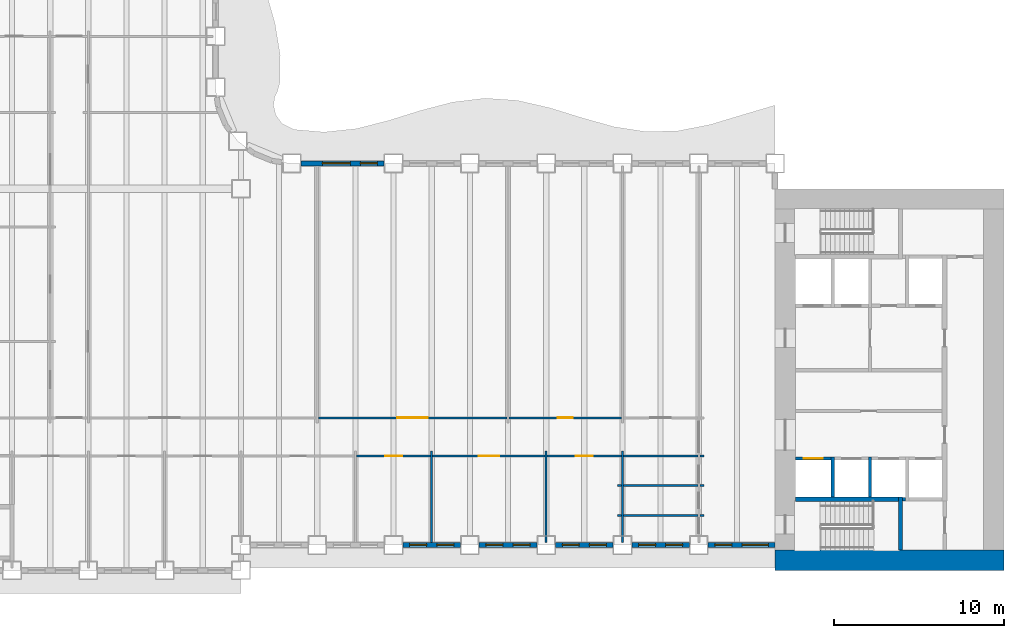
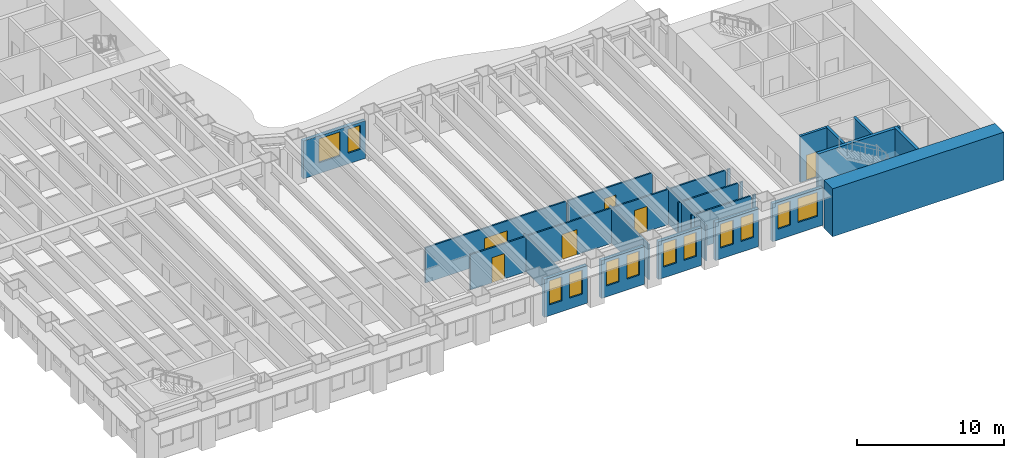
# One storey, part 5 of 16: 29 walls, 12 windows, 6 doors, 18 openings.
"""IFC4 building model written with IfcOpenShell, lengths in metres."""

from ifc_helpers import new_model, si_unit, direction, frame, frame_2d, origin, place, context, subcontext, project, spatial, rectangle, extrude, material, layer, layer_set, type_object, element, fill, save


model = new_model("IFC4")

# Units and contexts
model_context = context("Model", 3, precision=1e-05, world=origin(), true_north=direction((0.0, 1.0)))
body_context = subcontext(model_context, "Body", "Model", "MODEL_VIEW")
ifc_project = project(units=[si_unit("LENGTHUNIT", "METRE"), si_unit("AREAUNIT", "SQUARE_METRE"), si_unit("VOLUMEUNIT", "CUBIC_METRE"), si_unit("PLANEANGLEUNIT", "RADIAN"), si_unit("MASSUNIT", "GRAM", prefix="KILO")], contexts=[model_context])

# Site, building, storey
site_placement = place(None, origin())
site = spatial("IfcSite", under=ifc_project, at=site_placement, CompositionType="ELEMENT")
building_placement = place(site_placement, origin())
building = spatial("IfcBuilding", under=site, at=building_placement, Name="Sennacour Bend Tower", CompositionType="ELEMENT")
storey_placement = place(building_placement, frame((0.0, 0.0, 57.0)))
storey = spatial("IfcBuildingStorey", under=building, at=storey_placement, Name="L12", CompositionType="ELEMENT", Elevation=57.0)

# Walls
ifc_material_1 = material(Name="Concrete C80/95", Category="concrete")
ifc_layer_1 = layer(ifc_material_1, 1.199951171875, Name="Concrete C80/95", Category="concrete")
ifc_layer_set_1 = layer_set([ifc_layer_1], Name="Concrete C80/95")
wall_type_1 = type_object("IfcWallType", Name="Core wall 1200 C80/95", PredefinedType="SHEAR", material=ifc_layer_set_1)
wall_1_placement = place(storey_placement, frame((67.5, 0.60009765625, -0.14990234375), z_axis=(0.0, 0.0, 1.0), x_axis=(-1.0, 0.0, 0.0)))
element("IfcWall", 1, at=wall_1_placement, inside=storey, type_object=wall_type_1, Name="Core A wall L12 S", PredefinedType="SHEAR", context=body_context, shape_type="SweptSolid", body=[
    extrude(rectangle(XDim=13.5, YDim=1.199951171875, at=frame_2d((6.75, 0.0))), origin(), (0.0, 0.0, 1.0), 4.0),
])
ifc_material_2 = material(Name="Plasterboard partition on steel studs", Category="steel")
ifc_layer_2 = layer(ifc_material_2, 0.1201171875, Name="Plasterboard partition on steel studs", Category="steel")
ifc_layer_set_2 = layer_set([ifc_layer_2], Name="Plasterboard partition on steel studs")
wall_type_2 = type_object("IfcWallType", Name="Partition 120", PredefinedType="PARTITIONING", material=ifc_layer_set_2)
for number, where, z_axis, x_axis, name in (
    (2, (33.75, 1.64990234375, 0.0), (0.0, 0.0, 1.0), (0.0, 1.0, 0.0), "P-L12-W029a"),
    (3, (40.5, 1.64990234375, 0.0), (0.0, 0.0, 1.0), (0.0, 1.0, 0.0), "P-L12-W031a"),
    (4, (45.0, 1.64990234375, 0.0), (0.0, 0.0, 1.0), (0.0, 1.0, 0.0), "P-L12-W032a"),
):
    element("IfcWall", number, at=place(storey_placement, frame(where, z_axis=z_axis, x_axis=x_axis)), inside=storey, type_object=wall_type_2, Name=name, PredefinedType="PARTITIONING", context=body_context, shape_type="SweptSolid", body=[
        extrude(rectangle(XDim=5.400146484375, YDim=0.1201171875, at=frame_2d((2.7001953125, 0.0))), origin(), (0.0, 0.0, 1.0), 2.93798828125),
    ])
wall_2_placement = place(storey_placement, frame((44.699951171875, 3.25, 0.0), z_axis=(0.0, 0.0, 1.0), x_axis=(1.0, 0.0, 0.0)))
element("IfcWall", 5, at=wall_2_placement, inside=storey, type_object=wall_type_2, Name="P-L12-W050aa", PredefinedType="PARTITIONING", context=body_context, shape_type="SweptSolid", body=[
    extrude(rectangle(XDim=0.239990234375, YDim=0.1201171875, at=frame_2d((0.1201171875, 0.0))), origin(), (0.0, 0.0, 1.0), 2.93798828125),
])
wall_3_placement = place(storey_placement, frame((45.06005859375, 3.25, 0.0), z_axis=(0.0, 0.0, 1.0), x_axis=(1.0, 0.0, 0.0)))
element("IfcWall", 6, at=wall_3_placement, inside=storey, type_object=wall_type_2, Name="P-L12-W050ab", PredefinedType="PARTITIONING", context=body_context, shape_type="SweptSolid", body=[
    extrude(rectangle(XDim=4.3798828125, YDim=0.1201171875, at=frame_2d((2.18994140625, 0.0))), origin(), (0.0, 0.0, 1.0), 2.93798828125),
])
for number, where, z_axis, x_axis, name in (
    (7, (49.56005859375, 3.25, 0.0), (0.0, 0.0, 1.0), (1.0, 0.0, 0.0), "P-L12-W050ac"),
    (8, (44.699951171875, 5.0, 0.0), (0.0, 0.0, 1.0), (1.0, 0.0, 0.0), "P-L12-W055aa"),
):
    element("IfcWall", number, at=place(storey_placement, frame(where, z_axis=z_axis, x_axis=x_axis)), inside=storey, type_object=wall_type_2, Name=name, PredefinedType="PARTITIONING", context=body_context, shape_type="SweptSolid", body=[
        extrude(rectangle(XDim=0.239990234375, YDim=0.1201171875, at=frame_2d((0.1201171875, 0.0))), origin(), (0.0, 0.0, 1.0), 2.93798828125),
    ])
wall_4_placement = place(storey_placement, frame((45.06005859375, 5.0, 0.0), z_axis=(0.0, 0.0, 1.0), x_axis=(1.0, 0.0, 0.0)))
element("IfcWall", 9, at=wall_4_placement, inside=storey, type_object=wall_type_2, Name="P-L12-W055ab", PredefinedType="PARTITIONING", context=body_context, shape_type="SweptSolid", body=[
    extrude(rectangle(XDim=4.3798828125, YDim=0.1201171875, at=frame_2d((2.18994140625, 0.0))), origin(), (0.0, 0.0, 1.0), 2.93798828125),
])
wall_5_placement = place(storey_placement, frame((49.56005859375, 5.0, 0.0), z_axis=(0.0, 0.0, 1.0), x_axis=(1.0, 0.0, 0.0)))
element("IfcWall", 10, at=wall_5_placement, inside=storey, type_object=wall_type_2, Name="P-L12-W055ac", PredefinedType="PARTITIONING", context=body_context, shape_type="SweptSolid", body=[
    extrude(rectangle(XDim=0.239990234375, YDim=0.1201171875, at=frame_2d((0.1201171875, 0.0))), origin(), (0.0, 0.0, 1.0), 2.93798828125),
])

# Wall, opening, door
wall_6_placement = place(storey_placement, frame((29.31005859375, 6.75, 0.0), z_axis=(0.0, 0.0, 1.0), x_axis=(1.0, 0.0, 0.0)))
wall_6 = element("IfcWall", 11, at=wall_6_placement, inside=storey, type_object=wall_type_2, Name="P-L12-W057af", PredefinedType="PARTITIONING", context=body_context, shape_type="SweptSolid", body=[
    extrude(rectangle(XDim=4.3798828125, YDim=0.1201171875, at=frame_2d((2.18994140625, 0.0))), origin(), (0.0, 0.0, 1.0), 2.93798828125),
])
opening_1_placement = place(wall_6_placement, frame((1.68994140625, 0.0, 0.0)))
opening_1 = element("IfcOpeningElement", 12, at=opening_1_placement, cuts=wall_6, Name="Opening OD2", PredefinedType="OPENING", context=body_context, shape_type="SweptSolid", body=[
    extrude(rectangle(XDim=1.0, YDim=2.10009765625, at=frame_2d((0.5, 1.050048828125))), frame((0.0, 0.070068359375, 0.0), z_axis=(0.0, -1.0, 0.0), x_axis=(1.0, 0.0, 0.0)), (0.0, 0.0, 1.0), 0.14013671875),
])
ifc_material_3 = material(Name="Timber", Category="wood")
door_type_1 = type_object("IfcDoorType", Name="DR-OFFICE-1000", OperationType="NOTDEFINED", PredefinedType="DOOR", material=ifc_material_3)
door_1_placement = place(opening_1_placement, origin())
door_1 = element("IfcDoor", 13, at=door_1_placement, inside=storey, type_object=door_type_1, Name="Door", OperationType="SINGLE_SWING_LEFT", OverallHeight=2.10009765625, OverallWidth=1.0, PredefinedType="DOOR", context=body_context, shape_type="SweptSolid", body=[
    extrude(rectangle(XDim=1.0, YDim=2.10009765625, at=frame_2d((0.5, 1.050048828125))), frame((0.0, 0.02490234375, 0.0), z_axis=(0.0, -1.0, 0.0), x_axis=(1.0, 0.0, 0.0)), (0.0, 0.0, 1.0), 0.050048828125),
])
fill(opening_1, door_1)

wall_7_placement = place(storey_placement, frame((33.81005859375, 6.75, 0.0), z_axis=(0.0, 0.0, 1.0), x_axis=(1.0, 0.0, 0.0)))
wall_7 = element("IfcWall", 14, at=wall_7_placement, inside=storey, type_object=wall_type_2, Name="P-L12-W057ag", PredefinedType="PARTITIONING", context=body_context, shape_type="SweptSolid", body=[
    extrude(rectangle(XDim=6.6298828125, YDim=0.1201171875, at=frame_2d((3.31494140625, 0.0))), origin(), (0.0, 0.0, 1.0), 2.93798828125),
])
opening_2_placement = place(wall_7_placement, frame((2.71484375, 0.0, 0.0)))
opening_2 = element("IfcOpeningElement", 15, at=opening_2_placement, cuts=wall_7, Name="Opening OD", PredefinedType="OPENING", context=body_context, shape_type="SweptSolid", body=[
    extrude(rectangle(XDim=1.199951171875, YDim=2.10009765625, at=frame_2d((0.60009765625, 1.050048828125))), frame((0.0, 0.070068359375, 0.0), z_axis=(0.0, -1.0, 0.0), x_axis=(1.0, 0.0, 0.0)), (0.0, 0.0, 1.0), 0.14013671875),
])
door_type_2 = type_object("IfcDoorType", Name="DR-OFFICE-1200", OperationType="NOTDEFINED", PredefinedType="DOOR", material=ifc_material_3)
door_2_placement = place(opening_2_placement, origin())
door_2 = element("IfcDoor", 16, at=door_2_placement, inside=storey, type_object=door_type_2, Name="Door", OperationType="SINGLE_SWING_LEFT", OverallHeight=2.10009765625, OverallWidth=1.199951171875, PredefinedType="DOOR", context=body_context, shape_type="SweptSolid", body=[
    extrude(rectangle(XDim=1.199951171875, YDim=2.10009765625, at=frame_2d((0.60009765625, 1.050048828125))), frame((0.0, 0.02490234375, 0.0), z_axis=(0.0, -1.0, 0.0), x_axis=(1.0, 0.0, 0.0)), (0.0, 0.0, 1.0), 0.050048828125),
])
fill(opening_2, door_2)

wall_8_placement = place(storey_placement, frame((40.56005859375, 6.75, 0.0), z_axis=(0.0, 0.0, 1.0), x_axis=(1.0, 0.0, 0.0)))
wall_8 = element("IfcWall", 17, at=wall_8_placement, inside=storey, type_object=wall_type_2, Name="P-L12-W057ah", PredefinedType="PARTITIONING", context=body_context, shape_type="SweptSolid", body=[
    extrude(rectangle(XDim=4.3798828125, YDim=0.1201171875, at=frame_2d((2.18994140625, 0.0))), origin(), (0.0, 0.0, 1.0), 2.93798828125),
])
opening_3_placement = place(wall_8_placement, frame((1.68994140625, 0.0, 0.0)))
opening_3 = element("IfcOpeningElement", 18, at=opening_3_placement, cuts=wall_8, Name="Opening MD2", PredefinedType="OPENING", context=body_context, shape_type="SweptSolid", body=[
    extrude(rectangle(XDim=1.0, YDim=2.10009765625, at=frame_2d((0.5, 1.050048828125))), frame((0.0, 0.070068359375, 0.0), z_axis=(0.0, -1.0, 0.0), x_axis=(1.0, 0.0, 0.0)), (0.0, 0.0, 1.0), 0.14013671875),
])
door_type_3 = type_object("IfcDoorType", Name="DR-MEETING-1000", OperationType="NOTDEFINED", PredefinedType="DOOR", material=ifc_material_3)
door_3_placement = place(opening_3_placement, origin())
door_3 = element("IfcDoor", 19, at=door_3_placement, inside=storey, type_object=door_type_3, Name="Door", OperationType="SINGLE_SWING_LEFT", OverallHeight=2.10009765625, OverallWidth=1.0, PredefinedType="DOOR", context=body_context, shape_type="SweptSolid", body=[
    extrude(rectangle(XDim=1.0, YDim=2.10009765625, at=frame_2d((0.5, 1.050048828125))), frame((0.0, 0.02490234375, 0.0), z_axis=(0.0, -1.0, 0.0), x_axis=(1.0, 0.0, 0.0)), (0.0, 0.0, 1.0), 0.050048828125),
])
fill(opening_3, door_3)

# Walls
wall_9_placement = place(storey_placement, frame((45.06005859375, 6.75, 0.0), z_axis=(0.0, 0.0, 1.0), x_axis=(1.0, 0.0, 0.0)))
element("IfcWall", 20, at=wall_9_placement, inside=storey, type_object=wall_type_2, Name="P-L12-W057ai", PredefinedType="PARTITIONING", context=body_context, shape_type="SweptSolid", body=[
    extrude(rectangle(XDim=4.3798828125, YDim=0.1201171875, at=frame_2d((2.18994140625, 0.0))), origin(), (0.0, 0.0, 1.0), 2.93798828125),
])
wall_10_placement = place(storey_placement, frame((49.56005859375, 6.75, 0.0), z_axis=(0.0, 0.0, 1.0), x_axis=(1.0, 0.0, 0.0)))
element("IfcWall", 21, at=wall_10_placement, inside=storey, type_object=wall_type_2, Name="P-L12-W057aj", PredefinedType="PARTITIONING", context=body_context, shape_type="SweptSolid", body=[
    extrude(rectangle(XDim=0.239990234375, YDim=0.1201171875, at=frame_2d((0.1201171875, 0.0))), origin(), (0.0, 0.0, 1.0), 2.93798828125),
])

# Wall, opening, door
wall_11_placement = place(storey_placement, frame((27.06005859375, 9.0, 0.0), z_axis=(0.0, 0.0, 1.0), x_axis=(1.0, 0.0, 0.0)))
wall_11 = element("IfcWall", 22, at=wall_11_placement, inside=storey, type_object=wall_type_2, Name="P-L12-W058ad", PredefinedType="PARTITIONING", context=body_context, shape_type="SweptSolid", body=[
    extrude(rectangle(XDim=11.1298828125, YDim=0.1201171875, at=frame_2d((5.56494140625, 0.0))), origin(), (0.0, 0.0, 1.0), 2.93798828125),
])
opening_4_placement = place(wall_11_placement, frame((4.664794921875, 0.0, 0.0)))
opening_4 = element("IfcOpeningElement", 23, at=opening_4_placement, cuts=wall_11, Name="Opening OD3", PredefinedType="OPENING", context=body_context, shape_type="SweptSolid", body=[
    extrude(rectangle(XDim=1.800048828125, YDim=2.10009765625, at=frame_2d((0.89990234375, 1.050048828125))), frame((0.0, 0.070068359375, 0.0), z_axis=(0.0, -1.0, 0.0), x_axis=(1.0, 0.0, 0.0)), (0.0, 0.0, 1.0), 0.14013671875),
])
door_type_4 = type_object("IfcDoorType", Name="DR-OFFICE-1800", OperationType="NOTDEFINED", PredefinedType="DOOR", material=ifc_material_3)
door_4_placement = place(opening_4_placement, origin())
door_4 = element("IfcDoor", 24, at=door_4_placement, inside=storey, type_object=door_type_4, Name="Door", OperationType="DOUBLE_DOOR_SINGLE_SWING", OverallHeight=2.10009765625, OverallWidth=1.800048828125, PredefinedType="DOOR", context=body_context, shape_type="SweptSolid", body=[
    extrude(rectangle(XDim=1.800048828125, YDim=2.10009765625, at=frame_2d((0.89990234375, 1.050048828125))), frame((0.0, 0.02490234375, 0.0), z_axis=(0.0, -1.0, 0.0), x_axis=(1.0, 0.0, 0.0)), (0.0, 0.0, 1.0), 0.050048828125),
])
fill(opening_4, door_4)

ifc_layer_3 = layer(ifc_material_2, 0.1201171875, Name="Plasterboard partition on steel studs", Category="steel")
ifc_layer_set_3 = layer_set([ifc_layer_3], Name="Plasterboard partition on steel studs")
wall_type_3 = type_object("IfcWallType", Name="Partition 120 EI 60", PredefinedType="PARTITIONING", material=ifc_layer_set_3)
wall_12_placement = place(storey_placement, frame((38.31005859375, 9.0, 0.0), z_axis=(0.0, 0.0, 1.0), x_axis=(1.0, 0.0, 0.0)))
wall_12 = element("IfcWall", 25, at=wall_12_placement, inside=storey, type_object=wall_type_3, Name="P-L12-W058ae", PredefinedType="PARTITIONING", context=body_context, shape_type="SweptSolid", body=[
    extrude(rectangle(XDim=6.6298828125, YDim=0.1201171875, at=frame_2d((3.31494140625, 0.0))), origin(), (0.0, 0.0, 1.0), 2.93798828125),
])
opening_5_placement = place(wall_12_placement, frame((2.864990234375, 0.0, 0.0)))
opening_5 = element("IfcOpeningElement", 26, at=opening_5_placement, cuts=wall_12, Name="Opening SV", PredefinedType="OPENING", context=body_context, shape_type="SweptSolid", body=[
    extrude(rectangle(XDim=0.89990234375, YDim=2.10009765625, at=frame_2d((0.449951171875, 1.050048828125))), frame((0.0, 0.070068359375, 0.0), z_axis=(0.0, -1.0, 0.0), x_axis=(1.0, 0.0, 0.0)), (0.0, 0.0, 1.0), 0.14013671875),
])
ifc_material_4 = material(Name="Painted steel", Category="steel")
door_type_5 = type_object("IfcDoorType", Name="DR-SERVICE-900", OperationType="NOTDEFINED", PredefinedType="DOOR", material=ifc_material_4)
door_5_placement = place(opening_5_placement, origin())
door_5 = element("IfcDoor", 27, at=door_5_placement, inside=storey, type_object=door_type_5, Name="Door", OperationType="SINGLE_SWING_LEFT", OverallHeight=2.10009765625, OverallWidth=0.89990234375, PredefinedType="DOOR", context=body_context, shape_type="SweptSolid", body=[
    extrude(rectangle(XDim=0.89990234375, YDim=2.10009765625, at=frame_2d((0.449951171875, 1.050048828125))), frame((0.0, 0.02490234375, 0.0), z_axis=(0.0, -1.0, 0.0), x_axis=(1.0, 0.0, 0.0)), (0.0, 0.0, 1.0), 0.050048828125),
])
fill(opening_5, door_5)

# Wall, openings, windows
ifc_material_5 = material(Name="Warm limestone cladding", Category="masonry")
ifc_layer_4 = layer(ifc_material_5, 0.050048828125, Name="Warm limestone cladding", Category="masonry")
ifc_material_6 = material(Name="Precast concrete C40/50", Category="concrete")
ifc_layer_5 = layer(ifc_material_6, 0.25, Name="Precast concrete C40/50", Category="concrete")
ifc_layer_set_4 = layer_set([ifc_layer_4, ifc_layer_5], Name="Precast concrete C40/50 with limestone cladding")
wall_type_4 = type_object("IfcWallType", Name="STONE-CLAD PRECAST SPANDREL 300", PredefinedType="STANDARD", material=ifc_layer_set_4)
wall_13_placement = place(storey_placement, frame((32.050048828125, 1.5, 0.0), z_axis=(0.0, 0.0, 1.0), x_axis=(1.0, 0.0, 0.0)))
wall_13 = element("IfcWall", 28, at=wall_13_placement, inside=storey, type_object=wall_type_4, Name="Stone spandrel and pier wall L12 02.02", PredefinedType="STANDARD", context=body_context, shape_type="SweptSolid", body=[
    extrude(rectangle(XDim=3.39990234375, YDim=0.300048828125, at=frame_2d((1.699951171875, 0.0))), origin(), (0.0, 0.0, 1.0), 3.14404296875),
])
opening_6_placement = place(wall_13_placement, frame((0.39990234375, 0.0, 0.89990234375)))
opening_6 = element("IfcOpeningElement", 29, at=opening_6_placement, cuts=wall_13, Name="Opening W8", PredefinedType="OPENING", context=body_context, shape_type="SweptSolid", body=[
    extrude(rectangle(XDim=1.0, YDim=2.0, at=frame_2d((0.5, 1.0))), frame((0.0, 0.16015625, 0.0), z_axis=(0.0, -1.0, 0.0), x_axis=(1.0, 0.0, 0.0)), (0.0, 0.0, 1.0), 0.320068359375),
])
opening_7_placement = place(wall_13_placement, frame((2.0, 0.0, 0.89990234375)))
opening_7 = element("IfcOpeningElement", 30, at=opening_7_placement, cuts=wall_13, Name="Opening W8", PredefinedType="OPENING", context=body_context, shape_type="SweptSolid", body=[
    extrude(rectangle(XDim=1.0, YDim=2.0, at=frame_2d((0.5, 1.0))), frame((0.0, 0.16015625, 0.0), z_axis=(0.0, -1.0, 0.0), x_axis=(1.0, 0.0, 0.0)), (0.0, 0.0, 1.0), 0.320068359375),
])
ifc_material_7 = material(Name="Clear low-emissivity glass", Category="glass")
window_type_1 = type_object("IfcWindowType", Name="WIN-RIBBON-1000x2000", PartitioningType="SINGLE_PANEL", PredefinedType="WINDOW", material=ifc_material_7)
window_1_placement = place(opening_6_placement, origin())
window_1 = element("IfcWindow", 31, at=window_1_placement, inside=storey, type_object=window_type_1, Name="Ribbon window L12 02.02.0", OverallHeight=2.0, OverallWidth=1.0, PartitioningType="SINGLE_PANEL", PredefinedType="WINDOW", context=body_context, shape_type="SweptSolid", body=[
    extrude(rectangle(XDim=1.0, YDim=2.0, at=frame_2d((0.5, 1.0))), frame((0.0, 0.030029296875, 0.0), z_axis=(0.0, -1.0, 0.0), x_axis=(1.0, 0.0, 0.0)), (0.0, 0.0, 1.0), 0.06005859375),
])
fill(opening_6, window_1)
window_2_placement = place(opening_7_placement, origin())
window_2 = element("IfcWindow", 32, at=window_2_placement, inside=storey, type_object=window_type_1, Name="Ribbon window L12 02.02.1", OverallHeight=2.0, OverallWidth=1.0, PartitioningType="SINGLE_PANEL", PredefinedType="WINDOW", context=body_context, shape_type="SweptSolid", body=[
    extrude(rectangle(XDim=1.0, YDim=2.0, at=frame_2d((0.5, 1.0))), frame((0.0, 0.030029296875, 0.0), z_axis=(0.0, -1.0, 0.0), x_axis=(1.0, 0.0, 0.0)), (0.0, 0.0, 1.0), 0.06005859375),
])
fill(opening_7, window_2)

wall_14_placement = place(storey_placement, frame((36.550048828125, 1.5, 0.0), z_axis=(0.0, 0.0, 1.0), x_axis=(1.0, 0.0, 0.0)))
wall_14 = element("IfcWall", 33, at=wall_14_placement, inside=storey, type_object=wall_type_4, Name="Stone spandrel and pier wall L12 02.03", PredefinedType="STANDARD", context=body_context, shape_type="SweptSolid", body=[
    extrude(rectangle(XDim=3.39990234375, YDim=0.300048828125, at=frame_2d((1.699951171875, 0.0))), origin(), (0.0, 0.0, 1.0), 3.14404296875),
])
opening_8_placement = place(wall_14_placement, frame((0.39990234375, 0.0, 0.89990234375)))
opening_8 = element("IfcOpeningElement", 34, at=opening_8_placement, cuts=wall_14, Name="Opening W8", PredefinedType="OPENING", context=body_context, shape_type="SweptSolid", body=[
    extrude(rectangle(XDim=1.0, YDim=2.0, at=frame_2d((0.5, 1.0))), frame((0.0, 0.16015625, 0.0), z_axis=(0.0, -1.0, 0.0), x_axis=(1.0, 0.0, 0.0)), (0.0, 0.0, 1.0), 0.320068359375),
])
opening_9_placement = place(wall_14_placement, frame((2.0, 0.0, 0.89990234375)))
opening_9 = element("IfcOpeningElement", 35, at=opening_9_placement, cuts=wall_14, Name="Opening W8", PredefinedType="OPENING", context=body_context, shape_type="SweptSolid", body=[
    extrude(rectangle(XDim=1.0, YDim=2.0, at=frame_2d((0.5, 1.0))), frame((0.0, 0.16015625, 0.0), z_axis=(0.0, -1.0, 0.0), x_axis=(1.0, 0.0, 0.0)), (0.0, 0.0, 1.0), 0.320068359375),
])
window_3_placement = place(opening_8_placement, origin())
window_3 = element("IfcWindow", 36, at=window_3_placement, inside=storey, type_object=window_type_1, Name="Ribbon window L12 02.03.0", OverallHeight=2.0, OverallWidth=1.0, PartitioningType="SINGLE_PANEL", PredefinedType="WINDOW", context=body_context, shape_type="SweptSolid", body=[
    extrude(rectangle(XDim=1.0, YDim=2.0, at=frame_2d((0.5, 1.0))), frame((0.0, 0.030029296875, 0.0), z_axis=(0.0, -1.0, 0.0), x_axis=(1.0, 0.0, 0.0)), (0.0, 0.0, 1.0), 0.06005859375),
])
fill(opening_8, window_3)
window_4_placement = place(opening_9_placement, origin())
window_4 = element("IfcWindow", 37, at=window_4_placement, inside=storey, type_object=window_type_1, Name="Ribbon window L12 02.03.1", OverallHeight=2.0, OverallWidth=1.0, PartitioningType="SINGLE_PANEL", PredefinedType="WINDOW", context=body_context, shape_type="SweptSolid", body=[
    extrude(rectangle(XDim=1.0, YDim=2.0, at=frame_2d((0.5, 1.0))), frame((0.0, 0.030029296875, 0.0), z_axis=(0.0, -1.0, 0.0), x_axis=(1.0, 0.0, 0.0)), (0.0, 0.0, 1.0), 0.06005859375),
])
fill(opening_9, window_4)

wall_15_placement = place(storey_placement, frame((41.050048828125, 1.5, 0.0), z_axis=(0.0, 0.0, 1.0), x_axis=(1.0, 0.0, 0.0)))
wall_15 = element("IfcWall", 38, at=wall_15_placement, inside=storey, type_object=wall_type_4, Name="Stone spandrel and pier wall L12 02.04", PredefinedType="STANDARD", context=body_context, shape_type="SweptSolid", body=[
    extrude(rectangle(XDim=3.39990234375, YDim=0.300048828125, at=frame_2d((1.699951171875, 0.0))), origin(), (0.0, 0.0, 1.0), 3.14404296875),
])
opening_10_placement = place(wall_15_placement, frame((0.39990234375, 0.0, 0.89990234375)))
opening_10 = element("IfcOpeningElement", 39, at=opening_10_placement, cuts=wall_15, Name="Opening W8", PredefinedType="OPENING", context=body_context, shape_type="SweptSolid", body=[
    extrude(rectangle(XDim=1.0, YDim=2.0, at=frame_2d((0.5, 1.0))), frame((0.0, 0.16015625, 0.0), z_axis=(0.0, -1.0, 0.0), x_axis=(1.0, 0.0, 0.0)), (0.0, 0.0, 1.0), 0.320068359375),
])
opening_11_placement = place(wall_15_placement, frame((2.0, 0.0, 0.89990234375)))
opening_11 = element("IfcOpeningElement", 40, at=opening_11_placement, cuts=wall_15, Name="Opening W8", PredefinedType="OPENING", context=body_context, shape_type="SweptSolid", body=[
    extrude(rectangle(XDim=1.0, YDim=2.0, at=frame_2d((0.5, 1.0))), frame((0.0, 0.16015625, 0.0), z_axis=(0.0, -1.0, 0.0), x_axis=(1.0, 0.0, 0.0)), (0.0, 0.0, 1.0), 0.320068359375),
])
window_5_placement = place(opening_10_placement, origin())
window_5 = element("IfcWindow", 41, at=window_5_placement, inside=storey, type_object=window_type_1, Name="Ribbon window L12 02.04.0", OverallHeight=2.0, OverallWidth=1.0, PartitioningType="SINGLE_PANEL", PredefinedType="WINDOW", context=body_context, shape_type="SweptSolid", body=[
    extrude(rectangle(XDim=1.0, YDim=2.0, at=frame_2d((0.5, 1.0))), frame((0.0, 0.030029296875, 0.0), z_axis=(0.0, -1.0, 0.0), x_axis=(1.0, 0.0, 0.0)), (0.0, 0.0, 1.0), 0.06005859375),
])
fill(opening_10, window_5)
window_6_placement = place(opening_11_placement, origin())
window_6 = element("IfcWindow", 42, at=window_6_placement, inside=storey, type_object=window_type_1, Name="Ribbon window L12 02.04.1", OverallHeight=2.0, OverallWidth=1.0, PartitioningType="SINGLE_PANEL", PredefinedType="WINDOW", context=body_context, shape_type="SweptSolid", body=[
    extrude(rectangle(XDim=1.0, YDim=2.0, at=frame_2d((0.5, 1.0))), frame((0.0, 0.030029296875, 0.0), z_axis=(0.0, -1.0, 0.0), x_axis=(1.0, 0.0, 0.0)), (0.0, 0.0, 1.0), 0.06005859375),
])
fill(opening_11, window_6)

wall_16_placement = place(storey_placement, frame((45.550048828125, 1.5, 0.0), z_axis=(0.0, 0.0, 1.0), x_axis=(1.0, 0.0, 0.0)))
wall_16 = element("IfcWall", 43, at=wall_16_placement, inside=storey, type_object=wall_type_4, Name="Stone spandrel and pier wall L12 02.05", PredefinedType="STANDARD", context=body_context, shape_type="SweptSolid", body=[
    extrude(rectangle(XDim=3.39990234375, YDim=0.300048828125, at=frame_2d((1.699951171875, 0.0))), origin(), (0.0, 0.0, 1.0), 3.14404296875),
])
opening_12_placement = place(wall_16_placement, frame((0.39990234375, 0.0, 0.89990234375)))
opening_12 = element("IfcOpeningElement", 44, at=opening_12_placement, cuts=wall_16, Name="Opening W8", PredefinedType="OPENING", context=body_context, shape_type="SweptSolid", body=[
    extrude(rectangle(XDim=1.0, YDim=2.0, at=frame_2d((0.5, 1.0))), frame((0.0, 0.16015625, 0.0), z_axis=(0.0, -1.0, 0.0), x_axis=(1.0, 0.0, 0.0)), (0.0, 0.0, 1.0), 0.320068359375),
])
opening_13_placement = place(wall_16_placement, frame((2.0, 0.0, 0.89990234375)))
opening_13 = element("IfcOpeningElement", 45, at=opening_13_placement, cuts=wall_16, Name="Opening W8", PredefinedType="OPENING", context=body_context, shape_type="SweptSolid", body=[
    extrude(rectangle(XDim=1.0, YDim=2.0, at=frame_2d((0.5, 1.0))), frame((0.0, 0.16015625, 0.0), z_axis=(0.0, -1.0, 0.0), x_axis=(1.0, 0.0, 0.0)), (0.0, 0.0, 1.0), 0.320068359375),
])
window_7_placement = place(opening_12_placement, origin())
window_7 = element("IfcWindow", 46, at=window_7_placement, inside=storey, type_object=window_type_1, Name="Ribbon window L12 02.05.0", OverallHeight=2.0, OverallWidth=1.0, PartitioningType="SINGLE_PANEL", PredefinedType="WINDOW", context=body_context, shape_type="SweptSolid", body=[
    extrude(rectangle(XDim=1.0, YDim=2.0, at=frame_2d((0.5, 1.0))), frame((0.0, 0.030029296875, 0.0), z_axis=(0.0, -1.0, 0.0), x_axis=(1.0, 0.0, 0.0)), (0.0, 0.0, 1.0), 0.06005859375),
])
fill(opening_12, window_7)
window_8_placement = place(opening_13_placement, origin())
window_8 = element("IfcWindow", 47, at=window_8_placement, inside=storey, type_object=window_type_1, Name="Ribbon window L12 02.05.1", OverallHeight=2.0, OverallWidth=1.0, PartitioningType="SINGLE_PANEL", PredefinedType="WINDOW", context=body_context, shape_type="SweptSolid", body=[
    extrude(rectangle(XDim=1.0, YDim=2.0, at=frame_2d((0.5, 1.0))), frame((0.0, 0.030029296875, 0.0), z_axis=(0.0, -1.0, 0.0), x_axis=(1.0, 0.0, 0.0)), (0.0, 0.0, 1.0), 0.06005859375),
])
fill(opening_13, window_8)

wall_17_placement = place(storey_placement, frame((50.050048828125, 1.5, 0.0), z_axis=(0.0, 0.0, 1.0), x_axis=(1.0, 0.0, 0.0)))
wall_17 = element("IfcWall", 48, at=wall_17_placement, inside=storey, type_object=wall_type_4, Name="Stone spandrel and pier wall L12 02.06", PredefinedType="STANDARD", context=body_context, shape_type="SweptSolid", body=[
    extrude(rectangle(XDim=3.949951171875, YDim=0.300048828125, at=frame_2d((1.97509765625, 0.0))), origin(), (0.0, 0.0, 1.0), 3.14404296875),
])
opening_14_placement = place(wall_17_placement, frame((0.39990234375, 0.0, 0.89990234375)))
opening_14 = element("IfcOpeningElement", 49, at=opening_14_placement, cuts=wall_17, Name="Opening W8", PredefinedType="OPENING", context=body_context, shape_type="SweptSolid", body=[
    extrude(rectangle(XDim=1.0, YDim=2.0, at=frame_2d((0.5, 1.0))), frame((0.0, 0.16015625, 0.0), z_axis=(0.0, -1.0, 0.0), x_axis=(1.0, 0.0, 0.0)), (0.0, 0.0, 1.0), 0.320068359375),
])
opening_15_placement = place(wall_17_placement, frame((2.0, 0.0, 0.89990234375)))
opening_15 = element("IfcOpeningElement", 50, at=opening_15_placement, cuts=wall_17, Name="Opening W9", PredefinedType="OPENING", context=body_context, shape_type="SweptSolid", body=[
    extrude(rectangle(XDim=1.550048828125, YDim=2.0, at=frame_2d((0.77490234375, 1.0))), frame((0.0, 0.16015625, 0.0), z_axis=(0.0, -1.0, 0.0), x_axis=(1.0, 0.0, 0.0)), (0.0, 0.0, 1.0), 0.320068359375),
])
window_9_placement = place(opening_14_placement, origin())
window_9 = element("IfcWindow", 51, at=window_9_placement, inside=storey, type_object=window_type_1, Name="Ribbon window L12 02.06.0", OverallHeight=2.0, OverallWidth=1.0, PartitioningType="SINGLE_PANEL", PredefinedType="WINDOW", context=body_context, shape_type="SweptSolid", body=[
    extrude(rectangle(XDim=1.0, YDim=2.0, at=frame_2d((0.5, 1.0))), frame((0.0, 0.030029296875, 0.0), z_axis=(0.0, -1.0, 0.0), x_axis=(1.0, 0.0, 0.0)), (0.0, 0.0, 1.0), 0.06005859375),
])
fill(opening_14, window_9)
window_type_2 = type_object("IfcWindowType", Name="WIN-RIBBON-1550x2000", PartitioningType="SINGLE_PANEL", PredefinedType="WINDOW", material=ifc_material_7)
window_10_placement = place(opening_15_placement, origin())
window_10 = element("IfcWindow", 52, at=window_10_placement, inside=storey, type_object=window_type_2, Name="Ribbon window L12 02.06.1", OverallHeight=2.0, OverallWidth=1.550048828125, PartitioningType="SINGLE_PANEL", PredefinedType="WINDOW", context=body_context, shape_type="SweptSolid", body=[
    extrude(rectangle(XDim=1.550048828125, YDim=2.0, at=frame_2d((0.77490234375, 1.0))), frame((0.0, 0.030029296875, 0.0), z_axis=(0.0, -1.0, 0.0), x_axis=(1.0, 0.0, 0.0)), (0.0, 0.0, 1.0), 0.06005859375),
])
fill(opening_15, window_10)

wall_18_placement = place(storey_placement, frame((30.949951171875, 24.0, 0.0), z_axis=(0.0, 0.0, 1.0), x_axis=(-1.0, 0.0, 0.0)))
wall_18 = element("IfcWall", 53, at=wall_18_placement, inside=storey, type_object=wall_type_4, Name="Stone spandrel and pier wall L12 08.05", PredefinedType="STANDARD", context=body_context, shape_type="SweptSolid", body=[
    extrude(rectangle(XDim=4.89990234375, YDim=0.300048828125, at=frame_2d((2.449951171875, 0.0))), origin(), (0.0, 0.0, 1.0), 3.14404296875),
])
opening_16_placement = place(wall_18_placement, frame((0.39990234375, 0.0, 0.89990234375)))
opening_16 = element("IfcOpeningElement", 54, at=opening_16_placement, cuts=wall_18, Name="Opening W8", PredefinedType="OPENING", context=body_context, shape_type="SweptSolid", body=[
    extrude(rectangle(XDim=1.0, YDim=2.0, at=frame_2d((0.5, 1.0))), frame((0.0, 0.16015625, 0.0), z_axis=(0.0, -1.0, 0.0), x_axis=(1.0, 0.0, 0.0)), (0.0, 0.0, 1.0), 0.320068359375),
])
opening_17_placement = place(wall_18_placement, frame((2.0, 0.0, 0.89990234375)))
opening_17 = element("IfcOpeningElement", 55, at=opening_17_placement, cuts=wall_18, Name="Opening W10", PredefinedType="OPENING", context=body_context, shape_type="SweptSolid", body=[
    extrude(rectangle(XDim=1.64990234375, YDim=2.0, at=frame_2d((0.824951171875, 1.0))), frame((0.0, 0.16015625, 0.0), z_axis=(0.0, -1.0, 0.0), x_axis=(1.0, 0.0, 0.0)), (0.0, 0.0, 1.0), 0.320068359375),
])
window_11_placement = place(opening_16_placement, origin())
window_11 = element("IfcWindow", 56, at=window_11_placement, inside=storey, type_object=window_type_1, Name="Ribbon window L12 08.05.0", OverallHeight=2.0, OverallWidth=1.0, PartitioningType="SINGLE_PANEL", PredefinedType="WINDOW", context=body_context, shape_type="SweptSolid", body=[
    extrude(rectangle(XDim=1.0, YDim=2.0, at=frame_2d((0.5, 1.0))), frame((0.0, 0.030029296875, 0.0), z_axis=(0.0, -1.0, 0.0), x_axis=(1.0, 0.0, 0.0)), (0.0, 0.0, 1.0), 0.06005859375),
])
fill(opening_16, window_11)
window_type_3 = type_object("IfcWindowType", Name="WIN-RIBBON-1650x2000", PartitioningType="SINGLE_PANEL", PredefinedType="WINDOW", material=ifc_material_7)
window_12_placement = place(opening_17_placement, origin())
window_12 = element("IfcWindow", 57, at=window_12_placement, inside=storey, type_object=window_type_3, Name="Ribbon window L12 08.05.1", OverallHeight=2.0, OverallWidth=1.64990234375, PartitioningType="SINGLE_PANEL", PredefinedType="WINDOW", context=body_context, shape_type="SweptSolid", body=[
    extrude(rectangle(XDim=1.64990234375, YDim=2.0, at=frame_2d((0.824951171875, 1.0))), frame((0.0, 0.030029296875, 0.0), z_axis=(0.0, -1.0, 0.0), x_axis=(1.0, 0.0, 0.0)), (0.0, 0.0, 1.0), 0.06005859375),
])
fill(opening_17, window_12)

# Walls
ifc_material_8 = material(Name="Concrete C50/60", Category="concrete")
ifc_layer_6 = layer(ifc_material_8, 0.199951171875, Name="Concrete C50/60", Category="concrete")
ifc_layer_set_5 = layer_set([ifc_layer_6], Name="Concrete C50/60")
wall_type_5 = type_object("IfcWallType", Name="Shaft wall 200", PredefinedType="SOLIDWALL", material=ifc_layer_set_5)
for number, where, z_axis, x_axis, name in (
    (58, (57.39990234375, 4.324951171875, 0.0), (0.0, 0.0, 1.0), (0.0, 1.0, 0.0), "P-L12-W036"),
    (59, (59.60009765625, 4.324951171875, 0.0), (0.0, 0.0, 1.0), (0.0, 1.0, 0.0), "P-L12-W038"),
):
    element("IfcWall", number, at=place(storey_placement, frame(where, z_axis=z_axis, x_axis=x_axis)), inside=storey, type_object=wall_type_5, Name=name, PredefinedType="SOLIDWALL", context=body_context, shape_type="SweptSolid", body=[
        extrude(rectangle(XDim=2.375, YDim=0.199951171875, at=frame_2d((1.1875, 0.0))), origin(), (0.0, 0.0, 1.0), 3.85009765625),
    ])
wall_19_placement = place(storey_placement, frame((61.52490234375, 4.199951171875, 0.0), z_axis=(0.0, 0.0, 1.0), x_axis=(1.0, 0.0, 0.0)))
element("IfcWall", 60, at=wall_19_placement, inside=storey, type_object=wall_type_5, Name="P-L12-W054a", PredefinedType="SOLIDWALL", context=body_context, shape_type="SweptSolid", body=[
    extrude(rectangle(XDim=0.175048828125, YDim=0.199951171875, at=frame_2d((0.08740234375, 0.0))), origin(), (0.0, 0.0, 1.0), 3.85009765625),
])

# Wall, opening, door
wall_20_placement = place(storey_placement, frame((55.199951171875, 6.60009765625, 0.0), z_axis=(0.0, 0.0, 1.0), x_axis=(1.0, 0.0, 0.0)))
wall_20 = element("IfcWall", 61, at=wall_20_placement, inside=storey, type_object=wall_type_5, Name="P-L12-W056a", PredefinedType="SOLIDWALL", context=body_context, shape_type="SweptSolid", body=[
    extrude(rectangle(XDim=2.10009765625, YDim=0.199951171875, at=frame_2d((1.050048828125, 0.0))), origin(), (0.0, 0.0, 1.0), 3.85009765625),
])
opening_18_placement = place(wall_20_placement, frame((0.5, 0.0, 0.011962890625)))
opening_18 = element("IfcOpeningElement", 62, at=opening_18_placement, cuts=wall_20, Name="Opening LD", PredefinedType="OPENING", context=body_context, shape_type="SweptSolid", body=[
    extrude(rectangle(XDim=1.10009765625, YDim=2.10009765625, at=frame_2d((0.550048828125, 1.050048828125))), frame((0.0, 0.10986328125, 0.0), z_axis=(0.0, -1.0, 0.0), x_axis=(1.0, 0.0, 0.0)), (0.0, 0.0, 1.0), 0.219970703125),
])
ifc_material_9 = material(Name="Stainless steel", Category="steel")
door_type_6 = type_object("IfcDoorType", Name="DR-LANDING-1100", OperationType="NOTDEFINED", PredefinedType="DOOR", material=ifc_material_9)
door_6_placement = place(opening_18_placement, origin())
door_6 = element("IfcDoor", 63, at=door_6_placement, inside=storey, type_object=door_type_6, Name="Lift landing door LA1", OperationType="SLIDING_TO_LEFT", OverallHeight=2.10009765625, OverallWidth=1.10009765625, PredefinedType="DOOR", context=body_context, shape_type="SweptSolid", body=[
    extrude(rectangle(XDim=1.10009765625, YDim=2.10009765625, at=frame_2d((0.550048828125, 1.050048828125))), frame((0.0, 0.02490234375, 0.0), z_axis=(0.0, -1.0, 0.0), x_axis=(1.0, 0.0, 0.0)), (0.0, 0.0, 1.0), 0.050048828125),
])
fill(opening_18, door_6)

# Walls
ifc_material_10 = material(Name="Concrete C60/75", Category="concrete")
ifc_layer_7 = layer(ifc_material_10, 0.25, Name="Concrete C60/75", Category="concrete")
ifc_layer_set_6 = layer_set([ifc_layer_7], Name="Concrete C60/75")
wall_type_6 = type_object("IfcWallType", Name="Stair wall 250", PredefinedType="SHEAR", material=ifc_layer_set_6)
wall_21_placement = place(storey_placement, frame((61.39990234375, 1.199951171875, 0.0), z_axis=(0.0, 0.0, 1.0), x_axis=(0.0, 1.0, 0.0)))
element("IfcWall", 64, at=wall_21_placement, inside=storey, type_object=wall_type_6, Name="P-L12-W041", PredefinedType="SHEAR", context=body_context, shape_type="SweptSolid", body=[
    extrude(rectangle(XDim=3.125, YDim=0.25, at=frame_2d((1.5625, 0.0))), origin(), (0.0, 0.0, 1.0), 3.85009765625),
])
wall_22_placement = place(storey_placement, frame((55.199951171875, 4.199951171875, 0.0), z_axis=(0.0, 0.0, 1.0), x_axis=(1.0, 0.0, 0.0)))
element("IfcWall", 65, at=wall_22_placement, inside=storey, type_object=wall_type_6, Name="P-L12-W053", PredefinedType="SHEAR", context=body_context, shape_type="SweptSolid", body=[
    extrude(rectangle(XDim=6.074951171875, YDim=0.25, at=frame_2d((3.03759765625, 0.0))), origin(), (0.0, 0.0, 1.0), 3.85009765625),
])

save(model, "model.ifc")
